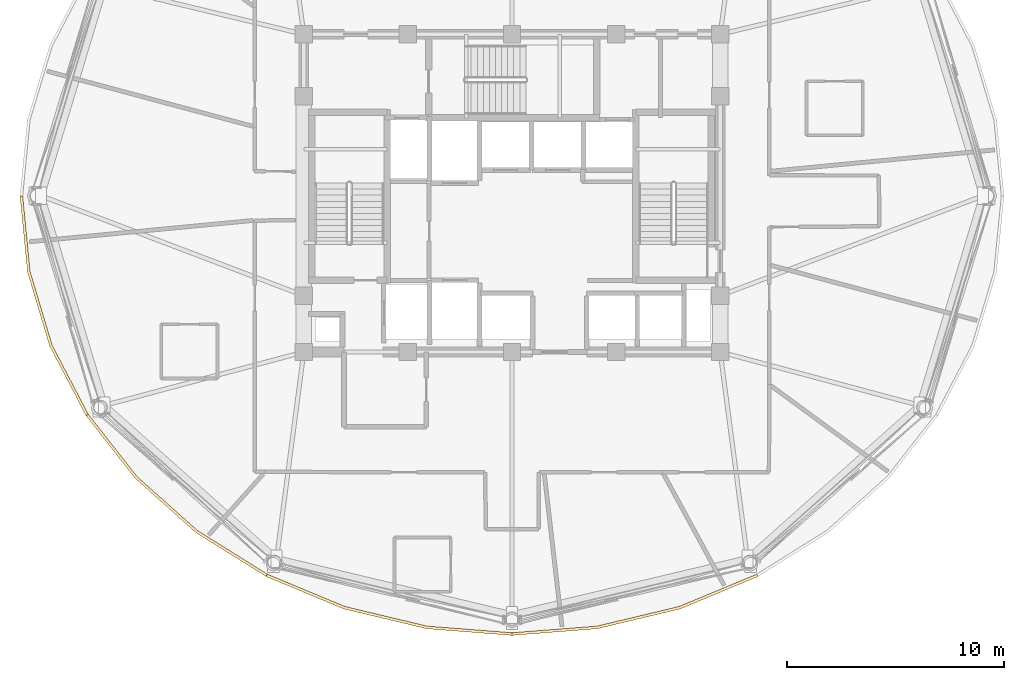
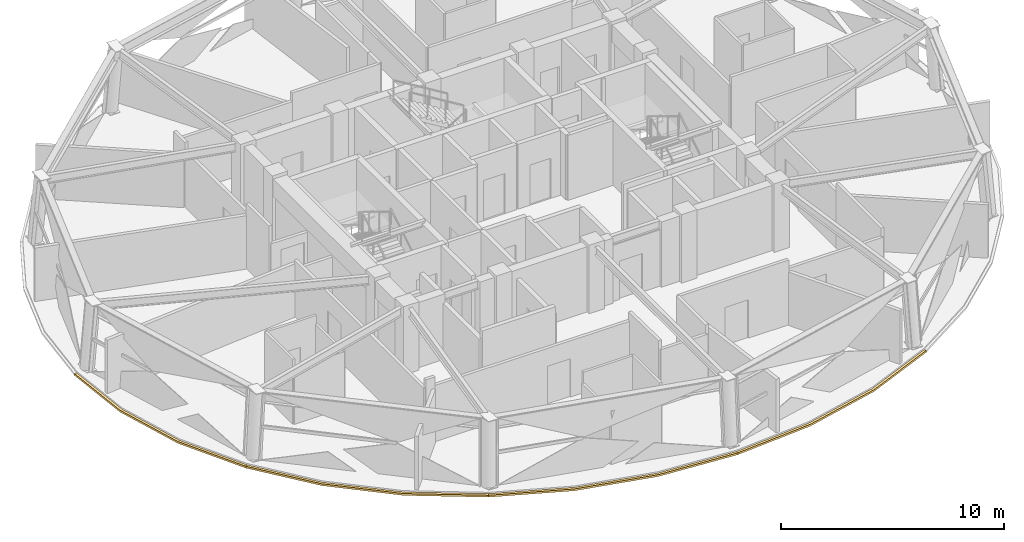
# One storey, part 8 of 11: 4 coverings.
"""IFC4 building model written with IfcOpenShell, lengths in metres."""

import ifcopenshell
import ifcopenshell.guid

model = None  # the IFC model being written
_history = None  # IfcOwnerHistory: only IFC2X3 demands one
_inside = {}  # id of a spatial element -> (the spatial element, [elements in it])
_under = {}  # id of a project, library or spatial element -> (it, [spatial elements below it])
_declared = {}  # id of a project -> (the project, [libraries it declares])
_typed = {}  # id of a type object -> (the type object, [elements of that type])
_made_of = {}  # id of a material, layer set ... -> (it, [elements and type objects made of it])


def new_model(schema):
    """Start an empty IFC model of exactly this schema.

    Asked for "IFC4X3", IfcOpenShell would pick the latest addendum, in which some entities
    have other attributes; the version numbers below select the first issue.
    IFC2X3 requires an IfcOwnerHistory on every rooted entity: one is made here for all.
    """
    global model, _history
    if schema == "IFC4X3":
        model = ifcopenshell.file(schema_version=(4, 3, 0, 0))
    else:
        model = ifcopenshell.file(schema=schema)
    _inside.clear()
    _under.clear()
    _declared.clear()
    _typed.clear()
    _made_of.clear()
    _history = None
    if model.schema == "IFC2X3":
        org = make("IfcOrganization", Name="unknown")
        user = make(
            "IfcPersonAndOrganization",
            ThePerson=make("IfcPerson", FamilyName="unknown"),
            TheOrganization=org,
        )
        app = make(
            "IfcApplication",
            ApplicationDeveloper=org,
            Version="unknown",
            ApplicationFullName="unknown",
            ApplicationIdentifier="unknown",
        )
        _history = make(
            "IfcOwnerHistory",
            OwningUser=user,
            OwningApplication=app,
            ChangeAction="ADDED",
            CreationDate=0,
        )
    return model


def make(cls, **values):
    """One entity of the class cls with the attributes given. An attribute that is None is left unset."""
    return model.create_entity(
        cls, **{name: value for name, value in values.items() if value is not None}
    )


def rooted(cls, **values):
    """An entity with a GlobalId (a new one), such as an element, a storey or a relation."""
    return make(cls, GlobalId=ifcopenshell.guid.new(), OwnerHistory=_history, **values)


def si_unit(unit_type, name, prefix=None):
    """IfcSIUnit, for example si_unit("LENGTHUNIT", "METRE", prefix="MILLI")."""
    return make("IfcSIUnit", UnitType=unit_type, Prefix=prefix, Name=name)


def assignment(units):
    """IfcUnitAssignment: the units of a project."""
    return None if units is None else make("IfcUnitAssignment", Units=units)


def point(xyz):
    """IfcCartesianPoint."""
    return None if xyz is None else make("IfcCartesianPoint", Coordinates=xyz)


def direction(xyz):
    """IfcDirection."""
    return None if xyz is None else make("IfcDirection", DirectionRatios=xyz)


def frame(location, z_axis=None, x_axis=None):
    """IfcAxis2Placement3D, a coordinate frame: its origin and axes. An axis left out is left unset."""
    return make(
        "IfcAxis2Placement3D",
        Location=point(location),
        Axis=direction(z_axis),
        RefDirection=direction(x_axis),
    )


def origin():
    """The frame at (0, 0, 0) with its axes left unset."""
    return frame((0.0, 0.0, 0.0))


def place(relative_to, where):
    """IfcLocalPlacement: puts the frame where relative to a parent placement (None: the world)."""
    return make(
        "IfcLocalPlacement", PlacementRelTo=relative_to, RelativePlacement=where
    )


def context(
    kind, dimensions, precision=None, world=None, true_north=None, identifier=None
):
    """IfcGeometricRepresentationContext, for example the 3D "Model" context."""
    return make(
        "IfcGeometricRepresentationContext",
        ContextIdentifier=identifier,
        ContextType=kind,
        CoordinateSpaceDimension=dimensions,
        Precision=precision,
        WorldCoordinateSystem=world,
        TrueNorth=true_north,
    )


def subcontext(parent, identifier, kind, view, scale=None):
    """IfcGeometricRepresentationSubContext, for example "Body" below "Model"."""
    return make(
        "IfcGeometricRepresentationSubContext",
        ContextIdentifier=identifier,
        ContextType=kind,
        ParentContext=parent,
        TargetScale=scale,
        TargetView=view,
    )


def project(units=None, contexts=None):
    """IfcProject with its units and contexts."""
    return rooted(
        "IfcProject",
        Name="project",
        RepresentationContexts=contexts,
        UnitsInContext=assignment(units),
    )


def spatial(cls, under=None, at=None, **own):
    """A site, building, storey or space (cls), placed at a placement, below another one or the project."""
    s = rooted(cls, ObjectPlacement=at, **own)
    if under is not None:
        _under.setdefault(under.id(), (under, []))[1].append(s)
    return s


def polyline(points):
    """IfcPolyline through the points."""
    return make("IfcPolyline", Points=[point(p) for p in points])


def outline(outer, holes=None, kind="AREA"):
    """IfcArbitraryClosedProfileDef: a profile drawn as a closed curve; with holes, ...WithVoids."""
    if holes is None:
        return make("IfcArbitraryClosedProfileDef", ProfileType=kind, OuterCurve=outer)
    return make(
        "IfcArbitraryProfileDefWithVoids",
        ProfileType=kind,
        OuterCurve=outer,
        InnerCurves=holes,
    )


def extrude(swept, where, along, depth):
    """IfcExtrudedAreaSolid: the profile swept, set in the frame where, extruded along a direction by depth."""
    return make(
        "IfcExtrudedAreaSolid",
        SweptArea=swept,
        Position=where,
        ExtrudedDirection=direction(along),
        Depth=depth,
    )


def shape(context_of_items, identifier, shape_type, items):
    """IfcShapeRepresentation: the items that make up one representation, for example the "Body"."""
    return make(
        "IfcShapeRepresentation",
        ContextOfItems=context_of_items,
        RepresentationIdentifier=identifier,
        RepresentationType=shape_type,
        Items=items,
    )


def material(Name=None, Category=None):
    """IfcMaterial."""
    return make("IfcMaterial", Name=Name, Category=Category)


def layer(
    of_material, thickness, ventilated=None, Name=None, Category=None, Priority=None
):
    """IfcMaterialLayer: one layer of a wall or slab, of a material (None: an air gap)."""
    return make(
        "IfcMaterialLayer",
        Material=of_material,
        LayerThickness=thickness,
        IsVentilated=ventilated,
        Name=Name,
        Category=Category,
        Priority=Priority,
    )


def layer_set(layers, Name=None):
    """IfcMaterialLayerSet."""
    return make("IfcMaterialLayerSet", MaterialLayers=layers, LayerSetName=Name)


def made_of(thing, what):
    """Note that an element or type object is made of a material, layer set ...; save() writes the relation."""
    if what is not None:
        _made_of.setdefault(what.id(), (what, []))[1].append(thing)
    return thing


def type_object(cls, material=None, **own):
    """A type object (cls), such as IfcWallType, which elements share."""
    return made_of(rooted(cls, **own), material)


def element(
    cls,
    number,
    at=None,
    inside=None,
    cuts=None,
    type_object=None,
    material=None,
    context=None,
    identifier="Body",
    shape_type=None,
    held_by="IfcProductDefinitionShape",
    body=None,
    shapes=None,
    **own,
):
    """One element of the class cls, such as IfcWall. Its Tag is "e" and its number.

    at: its placement. inside: the storey or other place that contains it. cuts: it is an
    opening in that element (IfcRelVoidsElement). A single representation is given by context,
    identifier, shape_type and body (its items); several are given by shapes. held_by: the class
    of the entity that holds the representations. save() writes the other relations.
    """
    e = rooted(cls, Tag="e%d" % number, ObjectPlacement=at, **own)
    if body is not None:
        shapes = [shape(context, identifier, shape_type, body)]
    if shapes is not None:
        e.Representation = make(held_by, Representations=shapes)
    if inside is not None:
        _inside.setdefault(inside.id(), (inside, []))[1].append(e)
    if cuts is not None:
        rooted(
            "IfcRelVoidsElement", RelatingBuildingElement=cuts, RelatedOpeningElement=e
        )
    if type_object is not None:
        _typed.setdefault(type_object.id(), (type_object, []))[1].append(e)
    return made_of(e, material)


def aggregate(whole, parts):
    """IfcRelAggregates: a whole, such as a stair, and the parts it consists of."""
    return rooted("IfcRelAggregates", RelatingObject=whole, RelatedObjects=parts)


def save(model, path):
    """Write the relations noted so far, then the file.

    IfcRelAggregates (storeys below a building ...), IfcRelContainedInSpatialStructure (elements
    in a storey), IfcRelDefinesByType, IfcRelAssociatesMaterial and IfcRelDeclares: one each for
    every whole, place, type object, material and project.
    """
    for whole, parts in _under.values():
        aggregate(whole, parts)
    for where, things in _inside.values():
        rooted(
            "IfcRelContainedInSpatialStructure",
            RelatedElements=things,
            RelatingStructure=where,
        )
    for kind, things in _typed.values():
        rooted("IfcRelDefinesByType", RelatedObjects=things, RelatingType=kind)
    for what, things in _made_of.values():
        rooted("IfcRelAssociatesMaterial", RelatedObjects=things, RelatingMaterial=what)
    for by, libraries in _declared.values():
        rooted("IfcRelDeclares", RelatingContext=by, RelatedDefinitions=libraries)
    model.write(path)


model = new_model("IFC4")

# Units and contexts
model_context = context("Model", 3, precision=1e-05, world=origin(), true_north=direction((0.0, 1.0)))
body_context = subcontext(model_context, "Body", "Model", "MODEL_VIEW")
ifc_project = project(units=[si_unit("LENGTHUNIT", "METRE"), si_unit("AREAUNIT", "SQUARE_METRE"), si_unit("VOLUMEUNIT", "CUBIC_METRE"), si_unit("PLANEANGLEUNIT", "RADIAN"), si_unit("MASSUNIT", "GRAM", prefix="KILO")], contexts=[model_context])

# Site, building, storey
site_placement = place(None, origin())
site = spatial("IfcSite", under=ifc_project, at=site_placement, CompositionType="ELEMENT")
building_placement = place(site_placement, origin())
building = spatial("IfcBuilding", under=site, at=building_placement, Name="Vantalir Tower", CompositionType="ELEMENT")
storey_placement = place(building_placement, frame((0.0, 0.0, 231.14990234375)))
storey = spatial("IfcBuildingStorey", under=building, at=storey_placement, Name="L58", CompositionType="ELEMENT", Elevation=231.14990234375)

# Coverings
ifc_material = material(Name="Anodised champagne aluminium sill fascia", Category="aluminium")
ifc_layer = layer(ifc_material, 0.125)
ifc_layer_set = layer_set([ifc_layer], Name="Anodised champagne aluminium sill fascia")
covering_type = type_object("IfcCoveringType", Name="COV-SLAB-FASCIA-125", PredefinedType="CLADDING", material=ifc_layer_set)
covering_1_placement = place(storey_placement, frame((0.0, 0.0, -0.179931640625)))
element("IfcCovering", 1, at=covering_1_placement, inside=storey, type_object=covering_type, Name="L58 Perimeter Slab-Edge Sill Fascia 07", PredefinedType="CLADDING", context=body_context, shape_type="SweptSolid", body=[
    extrude(outline(polyline([(8.81201171875, 25.0), (9.156982421875, 21.47998046875), (10.179931640625, 18.06689453125), (11.85205078125, 14.864013671875), (11.9599609375, 14.927001953125), (10.298095703125, 18.110107421875), (9.280029296875, 21.501953125), (8.93701171875, 25.0), (8.81201171875, 25.0)])), origin(), (0.0, 0.0, 1.0), 0.10498046875),
])
covering_2_placement = place(storey_placement, frame((0.0, 0.0, -0.179931640625)))
element("IfcCovering", 2, at=covering_2_placement, inside=storey, type_object=covering_type, Name="L58 Perimeter Slab-Edge Sill Fascia 08", PredefinedType="CLADDING", context=body_context, shape_type="SweptSolid", body=[
    extrude(outline(polyline([(11.85205078125, 14.864013671875), (14.1201171875, 11.969970703125), (16.916015625, 9.471923828125), (20.156005859375, 7.445068359375), (20.218017578125, 7.552978515625), (16.9970703125, 9.56689453125), (14.216064453125, 12.050048828125), (11.9599609375, 14.927001953125), (11.85205078125, 14.864013671875)])), origin(), (0.0, 0.0, 1.0), 0.10498046875),
])
covering_3_placement = place(storey_placement, frame((0.0, 0.0, -0.179931640625)))
element("IfcCovering", 3, at=covering_3_placement, inside=storey, type_object=covering_type, Name="L58 Perimeter Slab-Edge Sill Fascia 09", PredefinedType="CLADDING", context=body_context, shape_type="SweptSolid", body=[
    extrude(outline(polyline([(20.156005859375, 7.445068359375), (23.739990234375, 5.950927734375), (27.56005859375, 5.037109375), (31.5, 4.72900390625), (31.5, 4.85400390625), (27.58203125, 5.159912109375), (23.782958984375, 6.069091796875), (20.218017578125, 7.552978515625), (20.156005859375, 7.445068359375)])), origin(), (0.0, 0.0, 1.0), 0.10498046875),
])
covering_4_placement = place(storey_placement, frame((0.0, 0.0, -0.179931640625)))
element("IfcCovering", 4, at=covering_4_placement, inside=storey, type_object=covering_type, Name="L58 Perimeter Slab-Edge Sill Fascia 10", PredefinedType="CLADDING", context=body_context, shape_type="SweptSolid", body=[
    extrude(outline(polyline([(31.5, 4.72900390625), (35.43994140625, 5.037109375), (39.260009765625, 5.950927734375), (42.843994140625, 7.445068359375), (42.781982421875, 7.552978515625), (39.217041015625, 6.069091796875), (35.41796875, 5.159912109375), (31.5, 4.85400390625), (31.5, 4.72900390625)])), origin(), (0.0, 0.0, 1.0), 0.10498046875),
])

save(model, "model.ifc")
